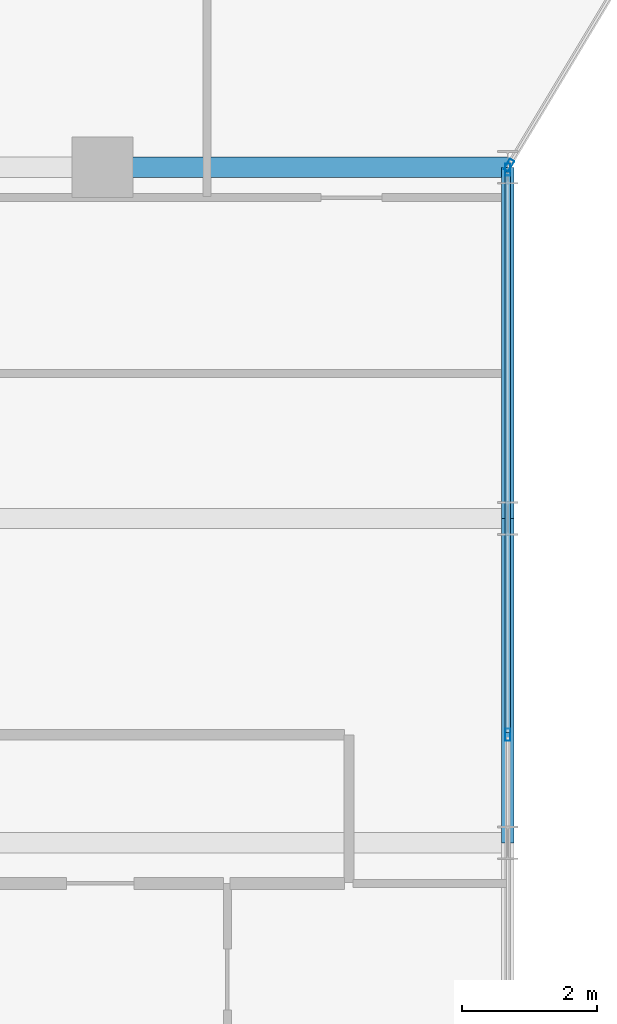
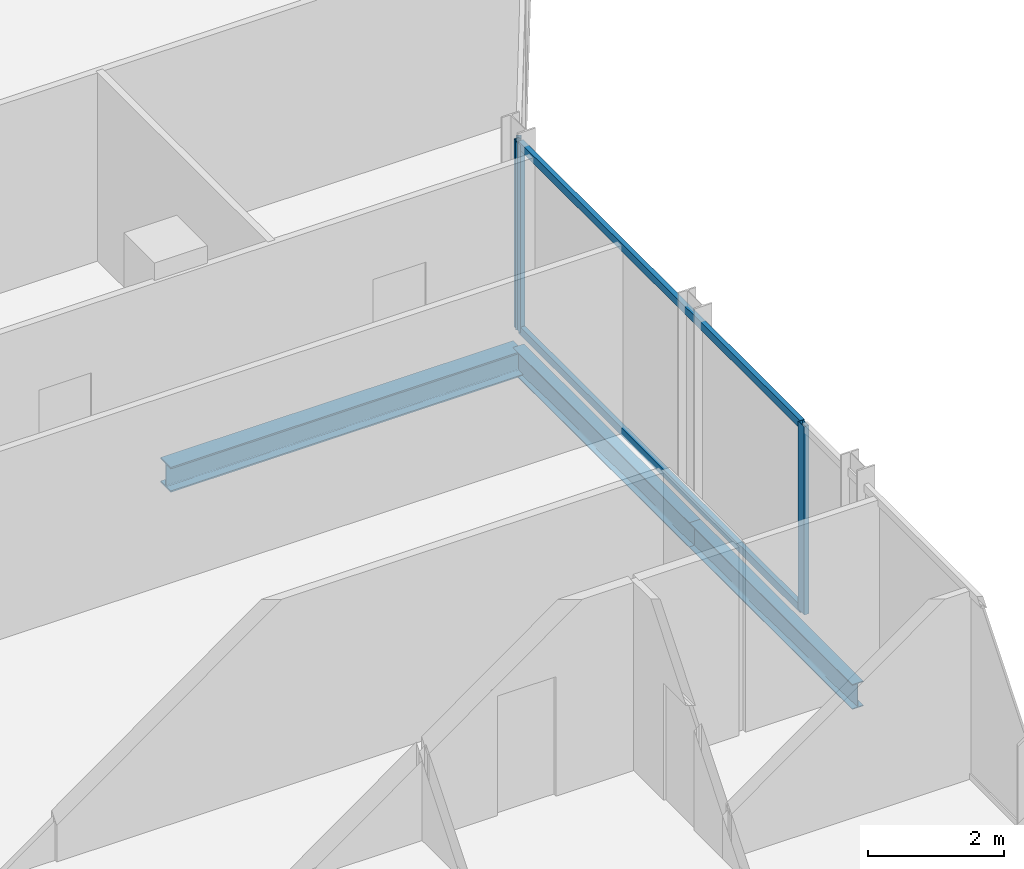
# One storey, part 13 of 31: 5 members, 3 beams, 2 elements without a shape of their own.
"""IFC4 building model written with IfcOpenShell, lengths in metres."""

from ifc_helpers import new_model, si_unit, direction, frame, origin, origin_2d, place, context, subcontext, project, spatial, hollow_rectangle, i_section, extrude, material, layer, layer_set, material_profile, profile_set, type_object, element, aggregate, save


model = new_model("IFC4")

# Units and contexts
model_context = context("Model", 3, precision=1e-05, world=origin(), true_north=direction((0.0, 1.0)))
body_context = subcontext(model_context, "Body", "Model", "MODEL_VIEW")
ifc_project = project(units=[si_unit("LENGTHUNIT", "METRE"), si_unit("AREAUNIT", "SQUARE_METRE"), si_unit("VOLUMEUNIT", "CUBIC_METRE"), si_unit("PLANEANGLEUNIT", "RADIAN"), si_unit("MASSUNIT", "GRAM", prefix="KILO")], contexts=[model_context])

# Site, building, storey
site_placement = place(None, origin())
site = spatial("IfcSite", under=ifc_project, at=site_placement, CompositionType="ELEMENT")
building_placement = place(site_placement, origin())
building = spatial("IfcBuilding", under=site, at=building_placement, Name="Keshet Zoharim Tower", CompositionType="ELEMENT")
storey_placement = place(building_placement, frame((0.0, 0.0, 129.800048828125)))
storey = spatial("IfcBuildingStorey", under=building, at=storey_placement, Name="L31", CompositionType="ELEMENT", Elevation=129.800048828125)

# Beams
ifc_material_1 = material(Name="Steel S355", Category="steel")
ifc_material_profile_1 = material_profile(ifc_material_1, i_section(OverallWidth=0.18994140625, OverallDepth=0.449951171875, WebThickness=0.009521484375, FlangeThickness=0.0146484375, FilletRadius=0.02099609375, at=origin_2d()), Name="IPE450")
ifc_profile_set_1 = profile_set([ifc_material_profile_1], Name="Steel S355")
beam_type_1 = type_object("IfcBeamType", Name="BM-PRI-IP450", PredefinedType="BEAM", material=ifc_profile_set_1)
beam_1_placement = place(storey_placement, frame((57.0, 17.89990234375, -0.5400390625), z_axis=(0.0, 1.0, 0.0), x_axis=(-1.0, 0.0, 0.0)))
element("IfcBeam", 1, at=beam_1_placement, inside=storey, type_object=beam_type_1, Name="L31 Primary Girder Y-015", PredefinedType="BEAM", context=body_context, shape_type="SweptSolid", body=[
    extrude(i_section(OverallWidth=0.18994140625, OverallDepth=0.449951171875, WebThickness=0.009521484375, FlangeThickness=0.0146484375, FilletRadius=0.02099609375, at=origin_2d()), origin(), (0.0, 0.0, 1.0), 4.800048828125),
])
beam_2_placement = place(storey_placement, frame((57.0, 22.699951171875, -0.5400390625), z_axis=(0.0, 1.0, 0.0), x_axis=(-1.0, 0.0, 0.0)))
element("IfcBeam", 2, at=beam_2_placement, inside=storey, type_object=beam_type_1, Name="L31 Primary Girder Y-016", PredefinedType="BEAM", context=body_context, shape_type="SweptSolid", body=[
    extrude(i_section(OverallWidth=0.18994140625, OverallDepth=0.449951171875, WebThickness=0.009521484375, FlangeThickness=0.0146484375, FilletRadius=0.02099609375, at=origin_2d()), origin(), (0.0, 0.0, 1.0), 5.199951171875),
])
ifc_material_profile_2 = material_profile(ifc_material_1, i_section(OverallWidth=0.300048828125, OverallDepth=0.449951171875, WebThickness=0.013916015625, FlangeThickness=0.02587890625, FilletRadius=0.027099609375, at=origin_2d()), Name="HEB450")
ifc_profile_set_2 = profile_set([ifc_material_profile_2], Name="Steel S355")
beam_type_2 = type_object("IfcBeamType", Name="BM-WEB-HB450", PredefinedType="BEAM", material=ifc_profile_set_2)
beam_3_placement = place(storey_placement, frame((51.0, 27.89990234375, -0.5400390625), z_axis=(1.0, 0.0, 0.0), x_axis=(0.0, 1.0, 0.0)))
element("IfcBeam", 3, at=beam_3_placement, inside=storey, type_object=beam_type_2, Name="L31 Primary Girder X-017", PredefinedType="BEAM", context=body_context, shape_type="SweptSolid", body=[
    extrude(i_section(OverallWidth=0.300048828125, OverallDepth=0.449951171875, WebThickness=0.013916015625, FlangeThickness=0.02587890625, FilletRadius=0.027099609375, at=origin_2d()), origin(), (0.0, 0.0, 1.0), 6.0),
])

# Curtain wall, member
ifc_material_2 = material(Name="Aluminium 6063-T6", Category="aluminium")
ifc_layer = layer(ifc_material_2, 0.159912109375)
ifc_layer_set = layer_set([ifc_layer], Name="Aluminium 6063-T6")
curtain_wall_type = type_object("IfcCurtainWallType", Name="CW-SYS-03", PredefinedType="NOTDEFINED", material=ifc_layer_set)
curtain_wall_1_placement = place(storey_placement, origin())
curtain_wall_1 = element("IfcCurtainWall", 4, at=curtain_wall_1_placement, inside=storey, type_object=curtain_wall_type, Name="L31 Unitised Curtain Wall 18", PredefinedType="NOTDEFINED")
ifc_material_profile_3 = material_profile(ifc_material_2, hollow_rectangle(XDim=0.080078125, YDim=0.179931640625, WallThickness=0.00439453125, at=origin_2d()), Name="MUL-80x180")
ifc_profile_set_3 = profile_set([ifc_material_profile_3], Name="Aluminium 6063-T6")
member_type_1 = type_object("IfcMemberType", Name="CWM-M18", PredefinedType="MULLION", material=ifc_profile_set_3)
member_1_placement = place(storey_placement, frame((57.01806640625, 27.929931640625, 0.0), z_axis=(0.0, 0.0, 1.0), x_axis=(0.857501477862, -0.514481501576, 0.0)))
member_1 = element("IfcMember", 5, at=member_1_placement, type_object=member_type_1, Name="CW-03 mullion 2", PredefinedType="MULLION", context=body_context, shape_type="SweptSolid", body=[
    extrude(hollow_rectangle(XDim=0.080078125, YDim=0.179931640625, WallThickness=0.00439453125, at=origin_2d()), origin(), (0.0, 0.0, 1.0), 3.385009765625),
])
aggregate(curtain_wall_1, [member_1])

# Curtain wall, members
curtain_wall_2_placement = place(storey_placement, origin())
curtain_wall_2 = element("IfcCurtainWall", 6, at=curtain_wall_2_placement, inside=storey, type_object=curtain_wall_type, Name="L31 Unitised Curtain Wall 19", PredefinedType="NOTDEFINED")
member_2_placement = place(storey_placement, frame((57.0, 27.864990234375, 0.0), z_axis=(0.0, 0.0, 1.0), x_axis=(1.0, 0.0, 0.0)))
member_2 = element("IfcMember", 7, at=member_2_placement, type_object=member_type_1, Name="CW-03 mullion 1", PredefinedType="MULLION", context=body_context, shape_type="SweptSolid", body=[
    extrude(hollow_rectangle(XDim=0.080078125, YDim=0.179931640625, WallThickness=0.00439453125, at=origin_2d()), origin(), (0.0, 0.0, 1.0), 3.385009765625),
])
member_3_placement = place(storey_placement, frame((57.0, 19.5, 0.0), z_axis=(0.0, 0.0, 1.0), x_axis=(1.0, 0.0, 0.0)))
member_3 = element("IfcMember", 8, at=member_3_placement, type_object=member_type_1, Name="CW-03 mullion 2", PredefinedType="MULLION", context=body_context, shape_type="SweptSolid", body=[
    extrude(hollow_rectangle(XDim=0.080078125, YDim=0.179931640625, WallThickness=0.00439453125, at=origin_2d()), origin(), (0.0, 0.0, 1.0), 3.385009765625),
])
ifc_material_profile_4 = material_profile(ifc_material_2, hollow_rectangle(XDim=0.080078125, YDim=0.139892578125, WallThickness=0.00390625, at=origin_2d()), Name="TRN-80x140")
ifc_profile_set_4 = profile_set([ifc_material_profile_4], Name="Aluminium 6063-T6")
member_type_2 = type_object("IfcMemberType", Name="CWT-T14", PredefinedType="USERDEFINED", material=ifc_profile_set_4)
member_4_placement = place(storey_placement, frame((57.0, 27.830078125, 0.034912109375), z_axis=(0.0, -1.0, 0.0), x_axis=(1.0, 0.0, 0.0)))
member_4 = element("IfcMember", 9, at=member_4_placement, type_object=member_type_2, Name="CW-03 transom 1.1", ObjectType="TRANSOM", PredefinedType="USERDEFINED", context=body_context, shape_type="SweptSolid", body=[
    extrude(hollow_rectangle(XDim=0.080078125, YDim=0.139892578125, WallThickness=0.00390625, at=origin_2d()), origin(), (0.0, 0.0, 1.0), 8.295166015625),
])
member_5_placement = place(storey_placement, frame((57.0, 27.830078125, 3.349853515625), z_axis=(0.0, -1.0, 0.0), x_axis=(1.0, 0.0, 0.0)))
member_5 = element("IfcMember", 10, at=member_5_placement, type_object=member_type_2, Name="CW-03 transom 1.2", ObjectType="TRANSOM", PredefinedType="USERDEFINED", context=body_context, shape_type="SweptSolid", body=[
    extrude(hollow_rectangle(XDim=0.080078125, YDim=0.139892578125, WallThickness=0.00390625, at=origin_2d()), origin(), (0.0, 0.0, 1.0), 8.295166015625),
])
aggregate(curtain_wall_2, [member_2, member_3, member_4, member_5])

save(model, "model.ifc")
